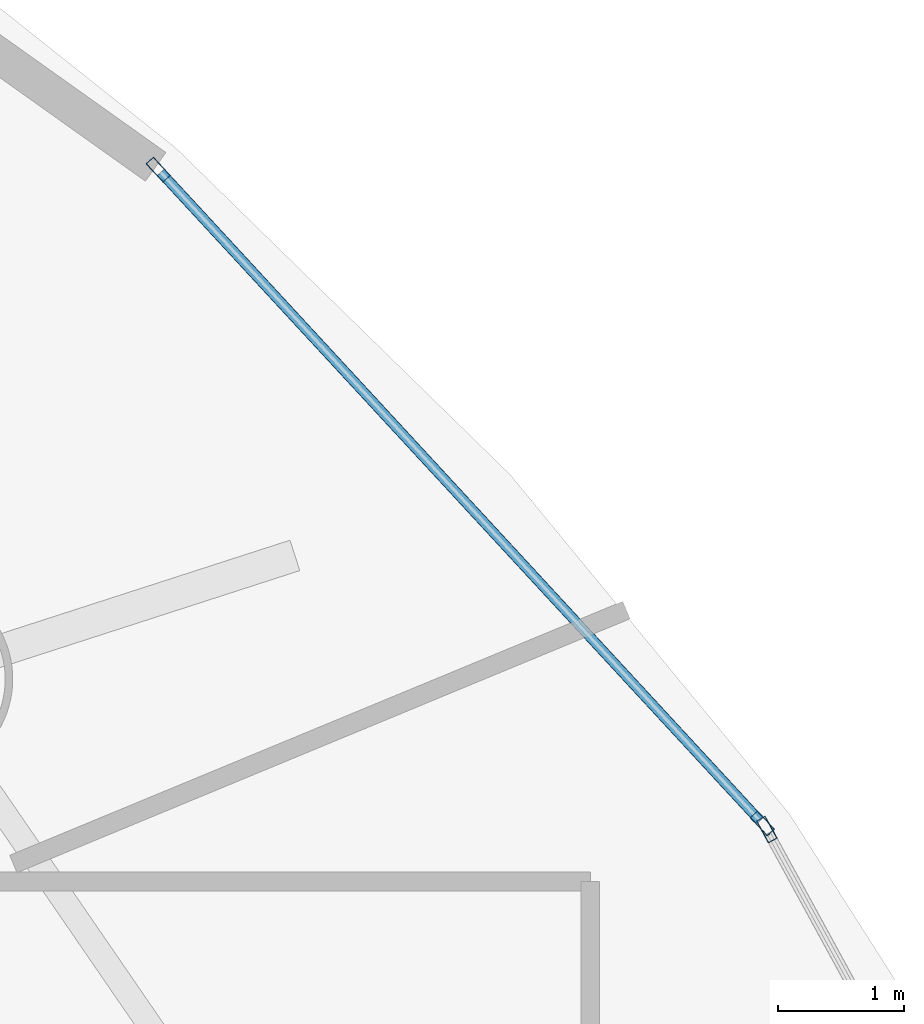
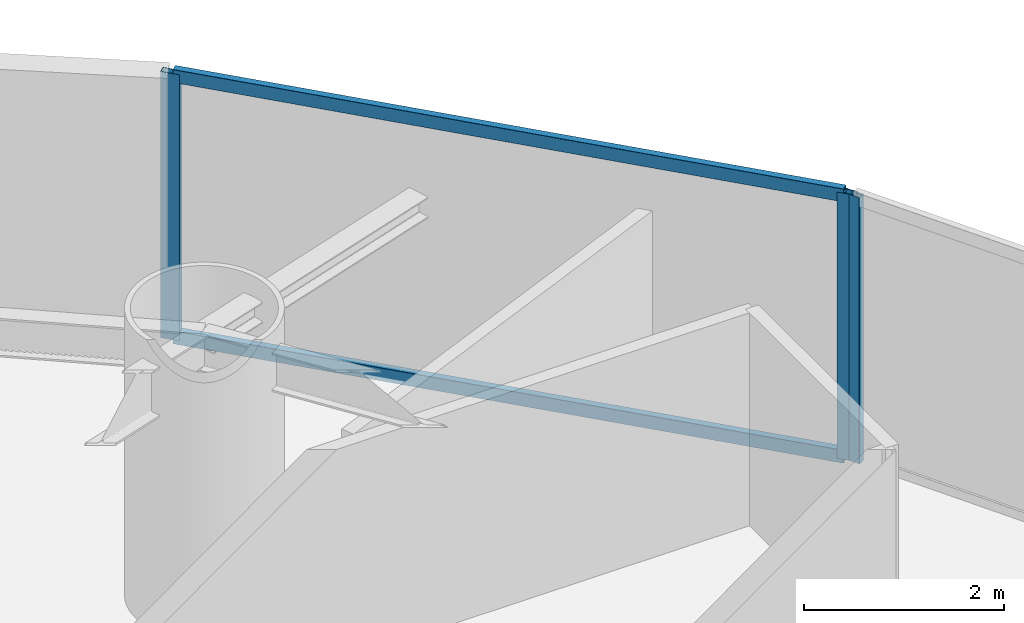
# One storey, part 16 of 27: 5 members, 2 elements without a shape of their own.
"""IFC4 building model written with IfcOpenShell, lengths in metres."""

from ifc_helpers import new_model, si_unit, direction, frame, origin, origin_2d, place, context, subcontext, project, spatial, hollow_rectangle, extrude, material, layer, layer_set, material_profile, profile_set, type_object, element, aggregate, save


model = new_model("IFC4")

# Units and contexts
model_context = context("Model", 3, precision=1e-05, world=origin(), true_north=direction((0.0, 1.0)))
body_context = subcontext(model_context, "Body", "Model", "MODEL_VIEW")
ifc_project = project(units=[si_unit("LENGTHUNIT", "METRE"), si_unit("AREAUNIT", "SQUARE_METRE"), si_unit("VOLUMEUNIT", "CUBIC_METRE"), si_unit("PLANEANGLEUNIT", "RADIAN"), si_unit("MASSUNIT", "GRAM", prefix="KILO")], contexts=[model_context])

# Site, building, storey
site_placement = place(None, origin())
site = spatial("IfcSite", under=ifc_project, at=site_placement, CompositionType="ELEMENT")
building_placement = place(site_placement, origin())
building = spatial("IfcBuilding", under=site, at=building_placement, Name="Bramvorn Convention Spire", CompositionType="ELEMENT")
storey_placement = place(building_placement, frame((0.0, 0.0, 44.89990234375)))
storey = spatial("IfcBuildingStorey", under=building, at=storey_placement, Name="L08", CompositionType="ELEMENT", Elevation=44.89990234375)

# Curtain wall, member
ifc_material_1 = material(Name="Anodised Bronze Unitised Curtain Wall", Category="aluminium")
ifc_layer = layer(ifc_material_1, 0.179931640625)
ifc_layer_set = layer_set([ifc_layer], Name="Anodised Bronze Unitised Curtain Wall - CW-HTL-FRIT")
curtain_wall_type = type_object("IfcCurtainWallType", Name="CW-HTL-FRIT", PredefinedType="USERDEFINED", material=ifc_layer_set)
curtain_wall_1_placement = place(storey_placement, origin())
curtain_wall_1 = element("IfcCurtainWall", 1, at=curtain_wall_1_placement, inside=storey, type_object=curtain_wall_type, Name="L08 fritted glass curtain wall 02", ObjectType="UNITISED CURTAIN WALL", PredefinedType="USERDEFINED")
ifc_material_2 = material(Name="Anodised Bronze Aluminium 6063-T6", Category="aluminium")
ifc_material_profile_1 = material_profile(ifc_material_2, hollow_rectangle(XDim=0.080078125, YDim=0.199951171875, WallThickness=0.00390625, InnerFilletRadius=0.0009765625, OuterFilletRadius=0.00390625, at=origin_2d()))
ifc_profile_set_1 = profile_set([ifc_material_profile_1], Name="Anodised Bronze Aluminium 6063-T6 - CWM80X200")
member_type_1 = type_object("IfcMemberType", Name="CW-MUL-180", PredefinedType="MULLION", material=ifc_profile_set_1)
member_1_placement = place(storey_placement, frame((66.904052734375, 35.763671875, 0.0), z_axis=(0.0, 0.0, 1.0), x_axis=(0.877811892076, 0.479005513674, 0.0)))
member_1 = element("IfcMember", 2, at=member_1_placement, type_object=member_type_1, Name="CW2 mullion 1", PredefinedType="MULLION", context=body_context, shape_type="SweptSolid", body=[
    extrude(hollow_rectangle(XDim=0.080078125, YDim=0.199951171875, WallThickness=0.00390625, InnerFilletRadius=0.0009765625, OuterFilletRadius=0.00390625, at=origin_2d()), origin(), (0.0, 0.0, 1.0), 3.25),
])
aggregate(curtain_wall_1, [member_1])

# Curtain wall, members
curtain_wall_2_placement = place(storey_placement, origin())
curtain_wall_2 = element("IfcCurtainWall", 3, at=curtain_wall_2_placement, inside=storey, type_object=curtain_wall_type, Name="L08 fritted glass curtain wall 03", ObjectType="UNITISED CURTAIN WALL", PredefinedType="USERDEFINED")
member_2_placement = place(storey_placement, frame((62.0625, 41.01416015625, 0.0), z_axis=(0.0, 0.0, 1.0), x_axis=(0.734478096687, 0.678632393484, 0.0)))
member_2 = element("IfcMember", 4, at=member_2_placement, type_object=member_type_1, Name="CW2 mullion 1", PredefinedType="MULLION", context=body_context, shape_type="SweptSolid", body=[
    extrude(hollow_rectangle(XDim=0.080078125, YDim=0.199951171875, WallThickness=0.00390625, InnerFilletRadius=0.0009765625, OuterFilletRadius=0.00390625, at=origin_2d()), origin(), (0.0, 0.0, 1.0), 3.25),
])
member_3_placement = place(storey_placement, frame((66.869140625, 35.81201171875, 0.0), z_axis=(0.0, 0.0, 1.0), x_axis=(0.734478096687, 0.678632393484, 0.0)))
member_3 = element("IfcMember", 5, at=member_3_placement, type_object=member_type_1, Name="CW2 mullion 2", PredefinedType="MULLION", context=body_context, shape_type="SweptSolid", body=[
    extrude(hollow_rectangle(XDim=0.080078125, YDim=0.199951171875, WallThickness=0.00390625, InnerFilletRadius=0.0009765625, OuterFilletRadius=0.00390625, at=origin_2d()), origin(), (0.0, 0.0, 1.0), 3.25),
])
ifc_material_profile_2 = material_profile(ifc_material_2, hollow_rectangle(XDim=0.080078125, YDim=0.159912109375, WallThickness=0.00390625, InnerFilletRadius=0.0009765625, OuterFilletRadius=0.00390625, at=origin_2d()))
ifc_profile_set_2 = profile_set([ifc_material_profile_2], Name="Anodised Bronze Aluminium 6063-T6 - CWT80X160")
member_type_2 = type_object("IfcMemberType", Name="CW-TRN-150", PredefinedType="USERDEFINED", material=ifc_profile_set_2)
member_4_placement = place(storey_placement, frame((62.0830078125, 40.9921875, 0.030029296875), z_axis=(0.678622223961, -0.734487492846, 0.0), x_axis=(0.734487492846, 0.678622223961, 0.0)))
member_4 = element("IfcMember", 6, at=member_4_placement, type_object=member_type_2, Name="CW2 transom 1.1", ObjectType="TRANSOM", PredefinedType="USERDEFINED", context=body_context, shape_type="SweptSolid", body=[
    extrude(hollow_rectangle(XDim=0.080078125, YDim=0.159912109375, WallThickness=0.00390625, InnerFilletRadius=0.0009765625, OuterFilletRadius=0.00390625, at=origin_2d()), origin(), (0.0, 0.0, 1.0), 7.02294921875),
])
member_5_placement = place(storey_placement, frame((62.0830078125, 40.9921875, 3.22021484375), z_axis=(0.678622223961, -0.734487492846, 0.0), x_axis=(0.734487492846, 0.678622223961, 0.0)))
member_5 = element("IfcMember", 7, at=member_5_placement, type_object=member_type_2, Name="CW2 transom 1.2", ObjectType="TRANSOM", PredefinedType="USERDEFINED", context=body_context, shape_type="SweptSolid", body=[
    extrude(hollow_rectangle(XDim=0.080078125, YDim=0.159912109375, WallThickness=0.00390625, InnerFilletRadius=0.0009765625, OuterFilletRadius=0.00390625, at=origin_2d()), origin(), (0.0, 0.0, 1.0), 7.02294921875),
])
aggregate(curtain_wall_2, [member_2, member_3, member_4, member_5])

save(model, "model.ifc")
